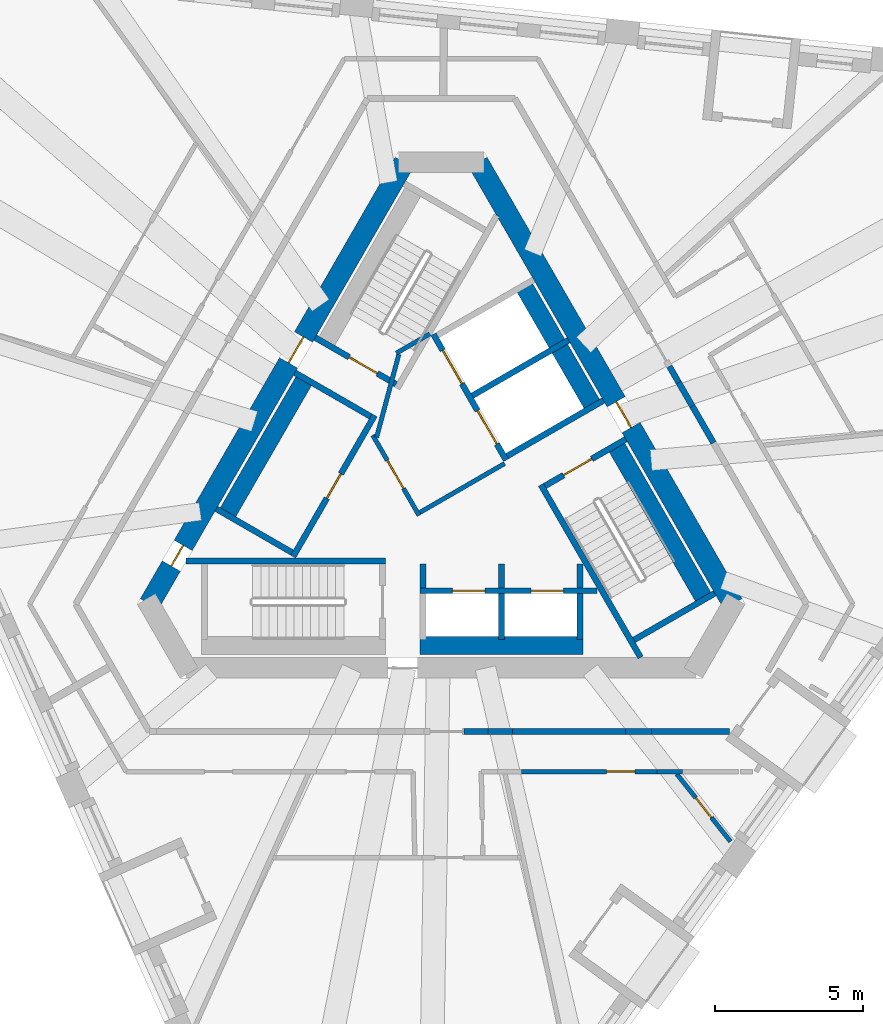
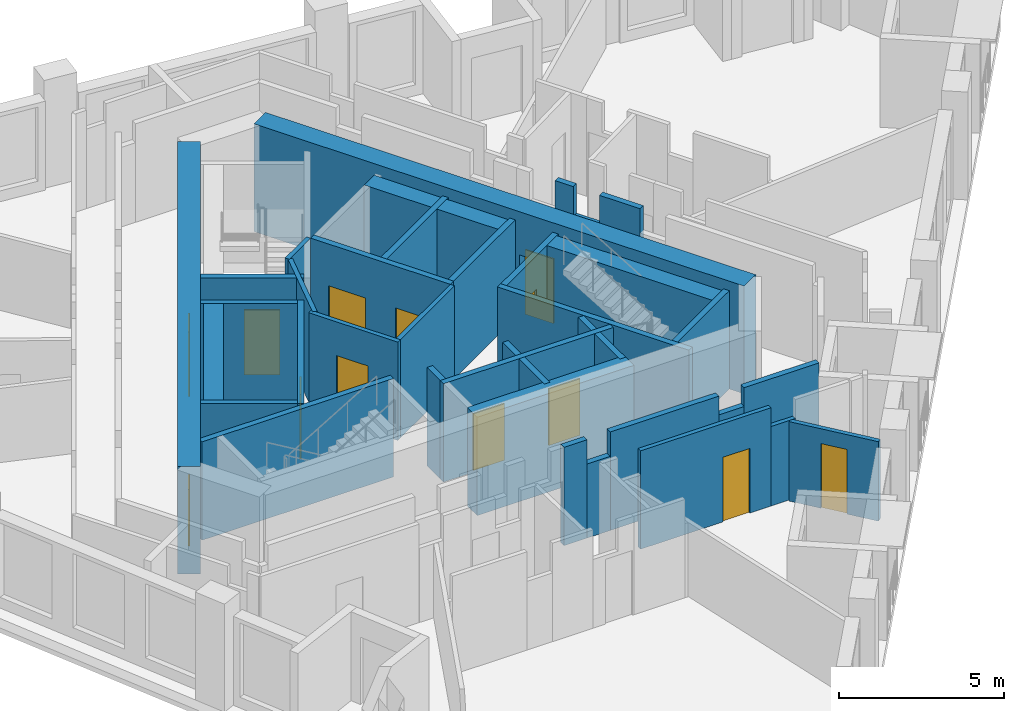
# One storey, part 4 of 11: 38 walls, 13 doors, 13 openings.
"""IFC4 building model written with IfcOpenShell, lengths in metres."""

import ifcopenshell
import ifcopenshell.guid

model = None  # the IFC model being written
_history = None  # IfcOwnerHistory: only IFC2X3 demands one
_inside = {}  # id of a spatial element -> (the spatial element, [elements in it])
_under = {}  # id of a project, library or spatial element -> (it, [spatial elements below it])
_declared = {}  # id of a project -> (the project, [libraries it declares])
_typed = {}  # id of a type object -> (the type object, [elements of that type])
_made_of = {}  # id of a material, layer set ... -> (it, [elements and type objects made of it])


def new_model(schema):
    """Start an empty IFC model of exactly this schema.

    Asked for "IFC4X3", IfcOpenShell would pick the latest addendum, in which some entities
    have other attributes; the version numbers below select the first issue.
    IFC2X3 requires an IfcOwnerHistory on every rooted entity: one is made here for all.
    """
    global model, _history
    if schema == "IFC4X3":
        model = ifcopenshell.file(schema_version=(4, 3, 0, 0))
    else:
        model = ifcopenshell.file(schema=schema)
    _inside.clear()
    _under.clear()
    _declared.clear()
    _typed.clear()
    _made_of.clear()
    _history = None
    if model.schema == "IFC2X3":
        org = make("IfcOrganization", Name="unknown")
        user = make(
            "IfcPersonAndOrganization",
            ThePerson=make("IfcPerson", FamilyName="unknown"),
            TheOrganization=org,
        )
        app = make(
            "IfcApplication",
            ApplicationDeveloper=org,
            Version="unknown",
            ApplicationFullName="unknown",
            ApplicationIdentifier="unknown",
        )
        _history = make(
            "IfcOwnerHistory",
            OwningUser=user,
            OwningApplication=app,
            ChangeAction="ADDED",
            CreationDate=0,
        )
    return model


def make(cls, **values):
    """One entity of the class cls with the attributes given. An attribute that is None is left unset."""
    return model.create_entity(
        cls, **{name: value for name, value in values.items() if value is not None}
    )


def rooted(cls, **values):
    """An entity with a GlobalId (a new one), such as an element, a storey or a relation."""
    return make(cls, GlobalId=ifcopenshell.guid.new(), OwnerHistory=_history, **values)


def si_unit(unit_type, name, prefix=None):
    """IfcSIUnit, for example si_unit("LENGTHUNIT", "METRE", prefix="MILLI")."""
    return make("IfcSIUnit", UnitType=unit_type, Prefix=prefix, Name=name)


def assignment(units):
    """IfcUnitAssignment: the units of a project."""
    return None if units is None else make("IfcUnitAssignment", Units=units)


def point(xyz):
    """IfcCartesianPoint."""
    return None if xyz is None else make("IfcCartesianPoint", Coordinates=xyz)


def direction(xyz):
    """IfcDirection."""
    return None if xyz is None else make("IfcDirection", DirectionRatios=xyz)


def frame(location, z_axis=None, x_axis=None):
    """IfcAxis2Placement3D, a coordinate frame: its origin and axes. An axis left out is left unset."""
    return make(
        "IfcAxis2Placement3D",
        Location=point(location),
        Axis=direction(z_axis),
        RefDirection=direction(x_axis),
    )


def frame_2d(location, x_axis=None):
    """IfcAxis2Placement2D, a coordinate frame in the plane: its origin and x axis."""
    return make(
        "IfcAxis2Placement2D", Location=point(location), RefDirection=direction(x_axis)
    )


def origin():
    """The frame at (0, 0, 0) with its axes left unset."""
    return frame((0.0, 0.0, 0.0))


def place(relative_to, where):
    """IfcLocalPlacement: puts the frame where relative to a parent placement (None: the world)."""
    return make(
        "IfcLocalPlacement", PlacementRelTo=relative_to, RelativePlacement=where
    )


def context(
    kind, dimensions, precision=None, world=None, true_north=None, identifier=None
):
    """IfcGeometricRepresentationContext, for example the 3D "Model" context."""
    return make(
        "IfcGeometricRepresentationContext",
        ContextIdentifier=identifier,
        ContextType=kind,
        CoordinateSpaceDimension=dimensions,
        Precision=precision,
        WorldCoordinateSystem=world,
        TrueNorth=true_north,
    )


def subcontext(parent, identifier, kind, view, scale=None):
    """IfcGeometricRepresentationSubContext, for example "Body" below "Model"."""
    return make(
        "IfcGeometricRepresentationSubContext",
        ContextIdentifier=identifier,
        ContextType=kind,
        ParentContext=parent,
        TargetScale=scale,
        TargetView=view,
    )


def project(units=None, contexts=None):
    """IfcProject with its units and contexts."""
    return rooted(
        "IfcProject",
        Name="project",
        RepresentationContexts=contexts,
        UnitsInContext=assignment(units),
    )


def spatial(cls, under=None, at=None, **own):
    """A site, building, storey or space (cls), placed at a placement, below another one or the project."""
    s = rooted(cls, ObjectPlacement=at, **own)
    if under is not None:
        _under.setdefault(under.id(), (under, []))[1].append(s)
    return s


def profile(cls, at=None, kind="AREA", **sizes):
    """A parametric profile (cls). Its sizes go by their IFC names, for example OverallWidth=200.0."""
    return make(cls, ProfileType=kind, Position=at, **sizes)


def rectangle(**sizes):
    """IfcRectangleProfileDef."""
    return profile("IfcRectangleProfileDef", **sizes)


def extrude(swept, where, along, depth):
    """IfcExtrudedAreaSolid: the profile swept, set in the frame where, extruded along a direction by depth."""
    return make(
        "IfcExtrudedAreaSolid",
        SweptArea=swept,
        Position=where,
        ExtrudedDirection=direction(along),
        Depth=depth,
    )


def shape(context_of_items, identifier, shape_type, items):
    """IfcShapeRepresentation: the items that make up one representation, for example the "Body"."""
    return make(
        "IfcShapeRepresentation",
        ContextOfItems=context_of_items,
        RepresentationIdentifier=identifier,
        RepresentationType=shape_type,
        Items=items,
    )


def material(Name=None, Category=None):
    """IfcMaterial."""
    return make("IfcMaterial", Name=Name, Category=Category)


def layer(
    of_material, thickness, ventilated=None, Name=None, Category=None, Priority=None
):
    """IfcMaterialLayer: one layer of a wall or slab, of a material (None: an air gap)."""
    return make(
        "IfcMaterialLayer",
        Material=of_material,
        LayerThickness=thickness,
        IsVentilated=ventilated,
        Name=Name,
        Category=Category,
        Priority=Priority,
    )


def layer_set(layers, Name=None):
    """IfcMaterialLayerSet."""
    return make("IfcMaterialLayerSet", MaterialLayers=layers, LayerSetName=Name)


def made_of(thing, what):
    """Note that an element or type object is made of a material, layer set ...; save() writes the relation."""
    if what is not None:
        _made_of.setdefault(what.id(), (what, []))[1].append(thing)
    return thing


def type_object(cls, material=None, **own):
    """A type object (cls), such as IfcWallType, which elements share."""
    return made_of(rooted(cls, **own), material)


def element(
    cls,
    number,
    at=None,
    inside=None,
    cuts=None,
    type_object=None,
    material=None,
    context=None,
    identifier="Body",
    shape_type=None,
    held_by="IfcProductDefinitionShape",
    body=None,
    shapes=None,
    **own,
):
    """One element of the class cls, such as IfcWall. Its Tag is "e" and its number.

    at: its placement. inside: the storey or other place that contains it. cuts: it is an
    opening in that element (IfcRelVoidsElement). A single representation is given by context,
    identifier, shape_type and body (its items); several are given by shapes. held_by: the class
    of the entity that holds the representations. save() writes the other relations.
    """
    e = rooted(cls, Tag="e%d" % number, ObjectPlacement=at, **own)
    if body is not None:
        shapes = [shape(context, identifier, shape_type, body)]
    if shapes is not None:
        e.Representation = make(held_by, Representations=shapes)
    if inside is not None:
        _inside.setdefault(inside.id(), (inside, []))[1].append(e)
    if cuts is not None:
        rooted(
            "IfcRelVoidsElement", RelatingBuildingElement=cuts, RelatedOpeningElement=e
        )
    if type_object is not None:
        _typed.setdefault(type_object.id(), (type_object, []))[1].append(e)
    return made_of(e, material)


def fill(opening, filler):
    """IfcRelFillsElement: the door or window that sits in an opening."""
    return rooted(
        "IfcRelFillsElement",
        RelatingOpeningElement=opening,
        RelatedBuildingElement=filler,
    )


def aggregate(whole, parts):
    """IfcRelAggregates: a whole, such as a stair, and the parts it consists of."""
    return rooted("IfcRelAggregates", RelatingObject=whole, RelatedObjects=parts)


def save(model, path):
    """Write the relations noted so far, then the file.

    IfcRelAggregates (storeys below a building ...), IfcRelContainedInSpatialStructure (elements
    in a storey), IfcRelDefinesByType, IfcRelAssociatesMaterial and IfcRelDeclares: one each for
    every whole, place, type object, material and project.
    """
    for whole, parts in _under.values():
        aggregate(whole, parts)
    for where, things in _inside.values():
        rooted(
            "IfcRelContainedInSpatialStructure",
            RelatedElements=things,
            RelatingStructure=where,
        )
    for kind, things in _typed.values():
        rooted("IfcRelDefinesByType", RelatedObjects=things, RelatingType=kind)
    for what, things in _made_of.values():
        rooted("IfcRelAssociatesMaterial", RelatedObjects=things, RelatingMaterial=what)
    for by, libraries in _declared.values():
        rooted("IfcRelDeclares", RelatingContext=by, RelatedDefinitions=libraries)
    model.write(path)


model = new_model("IFC4")

# Units and contexts
model_context = context("Model", 3, precision=1e-05, world=origin(), true_north=direction((0.0, 1.0)))
body_context = subcontext(model_context, "Body", "Model", "MODEL_VIEW")
ifc_project = project(units=[si_unit("LENGTHUNIT", "METRE"), si_unit("AREAUNIT", "SQUARE_METRE"), si_unit("VOLUMEUNIT", "CUBIC_METRE"), si_unit("PLANEANGLEUNIT", "RADIAN"), si_unit("MASSUNIT", "GRAM", prefix="KILO")], contexts=[model_context])

# Site, building, storey
site_placement = place(None, origin())
site = spatial("IfcSite", under=ifc_project, at=site_placement, CompositionType="ELEMENT")
building_placement = place(site_placement, origin())
building = spatial("IfcBuilding", under=site, at=building_placement, Name="Tramontana Tower", CompositionType="ELEMENT")
storey_placement = place(building_placement, frame((0.0, 0.0, 245.199951171875)))
storey = spatial("IfcBuildingStorey", under=building, at=storey_placement, Name="L57", CompositionType="ELEMENT", Elevation=245.199951171875)

# Wall, openings, doors
ifc_material_1 = material(Name="Concrete 70 MPa", Category="concrete")
ifc_layer_1 = layer(ifc_material_1, 0.699951171875)
ifc_layer_set_1 = layer_set([ifc_layer_1], Name="Core wall 700 70 MPa")
wall_type_1 = type_object("IfcWallType", Name="Core wall 700 70 MPa", PredefinedType="SHEAR", material=ifc_layer_set_1)
wall_1_placement = place(storey_placement, frame((-1.2412109375, 10.64990234375, 0.0), z_axis=(0.0, 0.0, 1.0), x_axis=(-0.500003331888, -0.866023480109, 0.0)))
wall_1 = element("IfcWall", 1, at=wall_1_placement, inside=storey, type_object=wall_type_1, Name="Core wall C1 L57", PredefinedType="SHEAR", context=body_context, shape_type="SweptSolid", body=[
    extrude(rectangle(XDim=17.205078125, YDim=0.699951171875, at=frame_2d((8.6025390625, 0.0))), origin(), (0.0, 0.0, 1.0), 4.0),
])
opening_1_placement = place(wall_1_placement, frame((6.8076171875, 0.0, 0.0)))
opening_1 = element("IfcOpeningElement", 2, at=opening_1_placement, cuts=wall_1, Name="Opening RG1", PredefinedType="OPENING", context=body_context, shape_type="SweptSolid", body=[
    extrude(rectangle(XDim=1.0, YDim=2.39990234375, at=frame_2d((0.5, 1.199951171875))), frame((0.0, 0.35986328125, 0.0), z_axis=(0.0, -1.0, 0.0), x_axis=(1.0, 0.0, 0.0)), (0.0, 0.0, 1.0), 0.719970703125),
])
opening_2_placement = place(wall_1_placement, frame((14.921630859375, 0.0, 0.0)))
opening_2 = element("IfcOpeningElement", 3, at=opening_2_placement, cuts=wall_1, Name="Opening PD1", PredefinedType="OPENING", context=body_context, shape_type="SweptSolid", body=[
    extrude(rectangle(XDim=0.800048828125, YDim=2.10009765625, at=frame_2d((0.39990234375, 1.050048828125))), frame((0.0, 0.35986328125, 0.0), z_axis=(0.0, -1.0, 0.0), x_axis=(1.0, 0.0, 0.0)), (0.0, 0.0, 1.0), 0.719970703125),
])
ifc_material_2 = material(Name="Painted steel", Category="steel")
door_type_1 = type_object("IfcDoorType", Name="CUPBOARD DOOR 800", OperationType="SINGLE_SWING_LEFT", PredefinedType="DOOR", material=ifc_material_2)
door_1_placement = place(opening_2_placement, origin())
door_1 = element("IfcDoor", 4, at=door_1_placement, inside=storey, type_object=door_type_1, Name="Door PD1", OperationType="SINGLE_SWING_RIGHT", OverallHeight=2.10009765625, OverallWidth=0.800048828125, PredefinedType="DOOR", context=body_context, shape_type="SweptSolid", body=[
    extrude(rectangle(XDim=0.800048828125, YDim=2.10009765625, at=frame_2d((0.39990234375, 1.050048828125))), frame((0.0, 0.02490234375, 0.0), z_axis=(0.0, -1.0, 0.0), x_axis=(1.0, 0.0, 0.0)), (0.0, 0.0, 1.0), 0.050048828125),
])
fill(opening_2, door_1)
ifc_material_3 = material(Name="Painted steel", Category="steel")
door_type_2 = type_object("IfcDoorType", Name="RING DOOR 1000", OperationType="SINGLE_SWING_LEFT", PredefinedType="DOOR", material=ifc_material_3)
door_2_placement = place(opening_1_placement, origin())
door_2 = element("IfcDoor", 5, at=door_2_placement, inside=storey, type_object=door_type_2, Name="Door RG1", OperationType="SINGLE_SWING_LEFT", OverallHeight=2.39990234375, OverallWidth=1.0, PredefinedType="DOOR", context=body_context, shape_type="SweptSolid", body=[
    extrude(rectangle(XDim=1.0, YDim=2.39990234375, at=frame_2d((0.5, 1.199951171875))), frame((0.0, 0.02490234375, 0.0), z_axis=(0.0, -1.0, 0.0), x_axis=(1.0, 0.0, 0.0)), (0.0, 0.0, 1.0), 0.050048828125),
])
fill(opening_1, door_2)

# Wall, opening, door
wall_2_placement = place(storey_placement, frame((9.84375, -4.25, 0.0), z_axis=(0.0, 0.0, 1.0), x_axis=(-0.500003331888, 0.866023480109, 0.0)))
wall_2 = element("IfcWall", 6, at=wall_2_placement, inside=storey, type_object=wall_type_1, Name="Core wall C5 L57", PredefinedType="SHEAR", context=body_context, shape_type="SweptSolid", body=[
    extrude(rectangle(XDim=17.205078125, YDim=0.699951171875, at=frame_2d((8.6025390625, 0.0))), origin(), (0.0, 0.0, 1.0), 4.0),
])
opening_3_placement = place(wall_2_placement, frame((6.87744140625, 0.0, 0.0)))
opening_3 = element("IfcOpeningElement", 7, at=opening_3_placement, cuts=wall_2, Name="Opening RG3", PredefinedType="OPENING", context=body_context, shape_type="SweptSolid", body=[
    extrude(rectangle(XDim=1.0, YDim=2.39990234375, at=frame_2d((0.5, 1.199951171875))), frame((0.0, 0.35986328125, 0.0), z_axis=(0.0, -1.0, 0.0), x_axis=(1.0, 0.0, 0.0)), (0.0, 0.0, 1.0), 0.719970703125),
])
door_3_placement = place(opening_3_placement, origin())
door_3 = element("IfcDoor", 8, at=door_3_placement, inside=storey, type_object=door_type_2, Name="Door RG3", OperationType="SINGLE_SWING_LEFT", OverallHeight=2.39990234375, OverallWidth=1.0, PredefinedType="DOOR", context=body_context, shape_type="SweptSolid", body=[
    extrude(rectangle(XDim=1.0, YDim=2.39990234375, at=frame_2d((0.5, 1.199951171875))), frame((0.0, 0.02490234375, 0.0), z_axis=(0.0, -1.0, 0.0), x_axis=(1.0, 0.0, 0.0)), (0.0, 0.0, 1.0), 0.050048828125),
])
fill(opening_3, door_3)

# Walls
ifc_material_4 = material(Name="Blockwork", Category="masonry")
ifc_layer_2 = layer(ifc_material_4, 0.199951171875)
ifc_layer_set_2 = layer_set([ifc_layer_2], Name="ENTRY WALL 200")
wall_type_2 = type_object("IfcWallType", Name="ENTRY WALL 200", PredefinedType="SOLIDWALL", material=ifc_layer_set_2)
wall_3_placement = place(storey_placement, frame((9.724609375, -8.550048828125, 0.0), z_axis=(0.0, 0.0, 1.0), x_axis=(-1.0, 0.0, 0.0)))
element("IfcWall", 9, at=wall_3_placement, inside=storey, type_object=wall_type_2, Name="Wall v60-ew1-0", PredefinedType="SOLIDWALL", context=body_context, shape_type="SweptSolid", body=[
    extrude(rectangle(XDim=2.62548828125, YDim=0.199951171875, at=frame_2d((1.312744140625, 0.0))), origin(), (0.0, 0.0, 1.0), 3.650146484375),
])
wall_4_placement = place(storey_placement, frame((7.09912109375, -8.550048828125, 0.0), z_axis=(0.0, 0.0, 1.0), x_axis=(-1.0, 0.0, 0.0)))
element("IfcWall", 10, at=wall_4_placement, inside=storey, type_object=wall_type_2, Name="Wall v60-ew1-1", PredefinedType="SOLIDWALL", context=body_context, shape_type="SweptSolid", body=[
    extrude(rectangle(XDim=0.88720703125, YDim=0.199951171875, at=frame_2d((0.443603515625, 0.0))), origin(), (0.0, 0.0, 1.0), 2.949951171875),
])
wall_5_placement = place(storey_placement, frame((6.2119140625, -8.550048828125, 0.0), z_axis=(0.0, 0.0, 1.0), x_axis=(-1.0, 0.0, 0.0)))
element("IfcWall", 11, at=wall_5_placement, inside=storey, type_object=wall_type_2, Name="Wall v60-ew1-2", PredefinedType="SOLIDWALL", context=body_context, shape_type="SweptSolid", body=[
    extrude(rectangle(XDim=3.810546875, YDim=0.199951171875, at=frame_2d((1.9052734375, 0.0))), origin(), (0.0, 0.0, 1.0), 3.650146484375),
])
wall_6_placement = place(storey_placement, frame((2.4013671875, -8.550048828125, 0.0), z_axis=(0.0, 0.0, 1.0), x_axis=(-1.0, 0.0, 0.0)))
element("IfcWall", 12, at=wall_6_placement, inside=storey, type_object=wall_type_2, Name="Wall v60-ew1-3", PredefinedType="SOLIDWALL", context=body_context, shape_type="SweptSolid", body=[
    extrude(rectangle(XDim=0.8212890625, YDim=0.199951171875, at=frame_2d((0.41064453125, 0.0))), origin(), (0.0, 0.0, 1.0), 2.75),
])
wall_7_placement = place(storey_placement, frame((1.580078125, -8.550048828125, 0.0), z_axis=(0.0, 0.0, 1.0), x_axis=(-1.0, 0.0, 0.0)))
element("IfcWall", 13, at=wall_7_placement, inside=storey, type_object=wall_type_2, Name="Wall v60-ew1-4", PredefinedType="SOLIDWALL", context=body_context, shape_type="SweptSolid", body=[
    extrude(rectangle(XDim=0.805908203125, YDim=0.199951171875, at=frame_2d((0.40283203125, 0.0))), origin(), (0.0, 0.0, 1.0), 3.650146484375),
])
wall_8_placement = place(storey_placement, frame((7.697021484375, 3.76806640625, 0.0), z_axis=(0.0, 0.0, 1.0), x_axis=(0.50012328804, -0.865954211699, 0.0)))
element("IfcWall", 14, at=wall_8_placement, inside=storey, type_object=wall_type_2, Name="Wall v60-ew5-6", PredefinedType="SOLIDWALL", context=body_context, shape_type="SweptSolid", body=[
    extrude(rectangle(XDim=0.632568359375, YDim=0.199951171875, at=frame_2d((0.31640625, 0.0))), origin(), (0.0, 0.0, 1.0), 3.650146484375),
])
wall_9_placement = place(storey_placement, frame((8.013427734375, 3.22021484375, 0.0), z_axis=(0.0, 0.0, 1.0), x_axis=(0.500175591747, -0.865924002104, 0.0)))
element("IfcWall", 15, at=wall_9_placement, inside=storey, type_object=wall_type_2, Name="Wall v60-ew5-7", PredefinedType="SOLIDWALL", context=body_context, shape_type="SweptSolid", body=[
    extrude(rectangle(XDim=0.917236328125, YDim=0.199951171875, at=frame_2d((0.45849609375, 0.0))), origin(), (0.0, 0.0, 1.0), 2.550048828125),
])
wall_10_placement = place(storey_placement, frame((8.47216796875, 2.426025390625, 0.0), z_axis=(0.0, 0.0, 1.0), x_axis=(0.499904796234, -0.866080362727, 0.0)))
element("IfcWall", 16, at=wall_10_placement, inside=storey, type_object=wall_type_2, Name="Wall v60-ew5-8", PredefinedType="SOLIDWALL", context=body_context, shape_type="SweptSolid", body=[
    extrude(rectangle(XDim=1.429443359375, YDim=0.199951171875, at=frame_2d((0.71484375, 0.0))), origin(), (0.0, 0.0, 1.0), 3.650146484375),
])

# Wall, opening, door
ifc_material_5 = material(Name="Gypsum board partition")
ifc_layer_3 = layer(ifc_material_5, 0.14990234375)
ifc_layer_set_3 = layer_set([ifc_layer_3], Name="PARTITION 150")
wall_type_3 = type_object("IfcWallType", Name="PARTITION 150", PredefinedType="PARTITIONING", material=ifc_layer_set_3)
wall_11_placement = place(storey_placement, frame((-0.744140625, -1.260986328125, 0.0), z_axis=(0.0, 0.0, 1.0), x_axis=(-0.500004234368, 0.866022959057, 0.0)))
wall_11 = element("IfcWall", 17, at=wall_11_placement, inside=storey, type_object=wall_type_3, Name="Wall ff-front", PredefinedType="PARTITIONING", context=body_context, shape_type="SweptSolid", body=[
    extrude(rectangle(XDim=3.125, YDim=0.14990234375, at=frame_2d((1.5625, 0.0))), origin(), (0.0, 0.0, 1.0), 3.650146484375),
])
opening_4_placement = place(wall_11_placement, frame((1.050048828125, 0.0, 0.0)))
opening_4 = element("IfcOpeningElement", 18, at=opening_4_placement, cuts=wall_11, Name="Opening FD1", PredefinedType="OPENING", context=body_context, shape_type="SweptSolid", body=[
    extrude(rectangle(XDim=1.10009765625, YDim=2.39990234375, at=frame_2d((0.550048828125, 1.199951171875))), frame((0.0, 0.0849609375, 0.0), z_axis=(0.0, -1.0, 0.0), x_axis=(1.0, 0.0, 0.0)), (0.0, 0.0, 1.0), 0.169921875),
])
ifc_material_6 = material(Name="Painted timber", Category="wood")
door_type_3 = type_object("IfcDoorType", Name="DOOR ENTRY 1100", OperationType="SINGLE_SWING_LEFT", PredefinedType="DOOR", material=ifc_material_6)
door_4_placement = place(opening_4_placement, origin())
door_4 = element("IfcDoor", 19, at=door_4_placement, inside=storey, type_object=door_type_3, Name="Door FD1", OperationType="SINGLE_SWING_RIGHT", OverallHeight=2.39990234375, OverallWidth=1.10009765625, PredefinedType="DOOR", context=body_context, shape_type="SweptSolid", body=[
    extrude(rectangle(XDim=1.10009765625, YDim=2.39990234375, at=frame_2d((0.550048828125, 1.199951171875))), frame((0.0, 0.02490234375, 0.0), z_axis=(0.0, -1.0, 0.0), x_axis=(1.0, 0.0, 0.0)), (0.0, 0.0, 1.0), 0.050048828125),
])
fill(opening_4, door_4)

# Walls
wall_12_placement = place(storey_placement, frame((-0.716796875, -1.15869140625, 0.0), z_axis=(0.0, 0.0, 1.0), x_axis=(0.866008176907, 0.50002983664, 0.0)))
element("IfcWall", 20, at=wall_12_placement, inside=storey, type_object=wall_type_3, Name="Wall ff-end0", PredefinedType="PARTITIONING", context=body_context, shape_type="SweptSolid", body=[
    extrude(rectangle(XDim=3.300048828125, YDim=0.14990234375, at=frame_2d((1.64990234375, 0.0))), origin(), (0.0, 0.0, 1.0), 3.650146484375),
])
wall_13_placement = place(storey_placement, frame((-2.177978515625, 1.372314453125, 0.0), z_axis=(0.0, 0.0, 1.0), x_axis=(0.258808958833, 0.96592852884, 0.0)))
element("IfcWall", 21, at=wall_13_placement, inside=storey, type_object=wall_type_3, Name="Wall ff-diag", PredefinedType="PARTITIONING", context=body_context, shape_type="SweptSolid", body=[
    extrude(rectangle(XDim=2.902587890625, YDim=0.14990234375, at=frame_2d((1.451171875, 0.0))), origin(), (0.0, 0.0, 1.0), 3.650146484375),
])
wall_14_placement = place(storey_placement, frame((-1.509765625, 4.21484375, 0.0), z_axis=(0.0, 0.0, 1.0), x_axis=(0.866085525409, 0.49989585183, 0.0)))
element("IfcWall", 22, at=wall_14_placement, inside=storey, type_object=wall_type_3, Name="Wall ff-end1", PredefinedType="PARTITIONING", context=body_context, shape_type="SweptSolid", body=[
    extrude(rectangle(XDim=1.300048828125, YDim=0.14990234375, at=frame_2d((0.64990234375, 0.0))), origin(), (0.0, 0.0, 1.0), 3.650146484375),
])

# Wall, opening, door
wall_15_placement = place(storey_placement, frame((7.942626953125, -9.97509765625, 0.0), z_axis=(0.0, 0.0, 1.0), x_axis=(0.622917295976, -0.782287697956, 0.0)))
wall_15 = element("IfcWall", 23, at=wall_15_placement, inside=storey, type_object=wall_type_3, Name="Wall v60-pw20-0", PredefinedType="PARTITIONING", context=body_context, shape_type="SweptSolid", body=[
    extrude(rectangle(XDim=2.916748046875, YDim=0.14990234375, at=frame_2d((1.45849609375, 0.0))), origin(), (0.0, 0.0, 1.0), 2.949951171875),
])
opening_5_placement = place(wall_15_placement, frame((1.033447265625, 0.0, 0.0)))
opening_5 = element("IfcOpeningElement", 24, at=opening_5_placement, cuts=wall_15, Name="Opening B6A-09", PredefinedType="OPENING", context=body_context, shape_type="SweptSolid", body=[
    extrude(rectangle(XDim=0.85009765625, YDim=2.39990234375, at=frame_2d((0.425048828125, 1.199951171875))), frame((0.0, 0.0849609375, 0.0), z_axis=(0.0, -1.0, 0.0), x_axis=(1.0, 0.0, 0.0)), (0.0, 0.0, 1.0), 0.169921875),
])
ifc_material_7 = material(Name="Painted timber", Category="wood")
door_type_4 = type_object("IfcDoorType", Name="DOOR BATH 850", OperationType="SINGLE_SWING_LEFT", PredefinedType="DOOR", material=ifc_material_7)
door_5_placement = place(opening_5_placement, origin())
door_5 = element("IfcDoor", 25, at=door_5_placement, inside=storey, type_object=door_type_4, Name="Door B6A-09", OperationType="SINGLE_SWING_LEFT", OverallHeight=2.39990234375, OverallWidth=0.85009765625, PredefinedType="DOOR", context=body_context, shape_type="SweptSolid", body=[
    extrude(rectangle(XDim=0.85009765625, YDim=2.39990234375, at=frame_2d((0.425048828125, 1.199951171875))), frame((0.0, 0.02490234375, 0.0), z_axis=(0.0, -1.0, 0.0), x_axis=(1.0, 0.0, 0.0)), (0.0, 0.0, 1.0), 0.050048828125),
])
fill(opening_5, door_5)

# Wall
wall_16_placement = place(storey_placement, frame((8.134033203125, -9.89990234375, 0.0), z_axis=(0.0, 0.0, 1.0), x_axis=(-1.0, 0.0, 0.0)))
element("IfcWall", 26, at=wall_16_placement, inside=storey, type_object=wall_type_3, Name="Wall v60-pw21-1", PredefinedType="PARTITIONING", context=body_context, shape_type="SweptSolid", body=[
    extrude(rectangle(XDim=0.85546875, YDim=0.14990234375, at=frame_2d((0.427734375, 0.0))), origin(), (0.0, 0.0, 1.0), 2.949951171875),
])

# Wall, opening, door
wall_17_placement = place(storey_placement, frame((7.278564453125, -9.89990234375, 0.0), z_axis=(0.0, 0.0, 1.0), x_axis=(-1.0, 0.0, 0.0)))
wall_17 = element("IfcWall", 27, at=wall_17_placement, inside=storey, type_object=wall_type_3, Name="Wall v60-pw21-2", PredefinedType="PARTITIONING", context=body_context, shape_type="SweptSolid", body=[
    extrude(rectangle(XDim=4.57568359375, YDim=0.14990234375, at=frame_2d((2.287841796875, 0.0))), origin(), (0.0, 0.0, 1.0), 3.650146484375),
])
opening_6_placement = place(wall_17_placement, frame((0.745361328125, 0.0, 0.0)))
opening_6 = element("IfcOpeningElement", 28, at=opening_6_placement, cuts=wall_17, Name="Opening B6A-08", PredefinedType="OPENING", context=body_context, shape_type="SweptSolid", body=[
    extrude(rectangle(XDim=0.949951171875, YDim=2.39990234375, at=frame_2d((0.47509765625, 1.199951171875))), frame((0.0, 0.0849609375, 0.0), z_axis=(0.0, -1.0, 0.0), x_axis=(1.0, 0.0, 0.0)), (0.0, 0.0, 1.0), 0.169921875),
])
ifc_material_8 = material(Name="Painted timber", Category="wood")
door_type_5 = type_object("IfcDoorType", Name="DOOR ROOM 950", OperationType="SINGLE_SWING_LEFT", PredefinedType="DOOR", material=ifc_material_8)
door_6_placement = place(opening_6_placement, origin())
door_6 = element("IfcDoor", 29, at=door_6_placement, inside=storey, type_object=door_type_5, Name="Door B6A-08", OperationType="SINGLE_SWING_RIGHT", OverallHeight=2.39990234375, OverallWidth=0.949951171875, PredefinedType="DOOR", context=body_context, shape_type="SweptSolid", body=[
    extrude(rectangle(XDim=0.949951171875, YDim=2.39990234375, at=frame_2d((0.47509765625, 1.199951171875))), frame((0.0, 0.02490234375, 0.0), z_axis=(0.0, -1.0, 0.0), x_axis=(1.0, 0.0, 0.0)), (0.0, 0.0, 1.0), 0.050048828125),
])
fill(opening_6, door_6)

# Walls
ifc_material_9 = material(Name="Concrete 70 MPa", Category="concrete")
ifc_layer_4 = layer(ifc_material_9, 0.60009765625)
ifc_layer_set_4 = layer_set([ifc_layer_4], Name="Concrete 70 MPa, 600 mm")
wall_type_4 = type_object("IfcWallType", Name="RC SHAFT BACK WALL 600", PredefinedType="SOLIDWALL", material=ifc_layer_set_4)
wall_18_placement = place(storey_placement, frame((8.93310546875, -4.17236328125, 0.0), z_axis=(0.0, 0.0, 1.0), x_axis=(-0.500026960575, 0.86600983753, 0.0)))
element("IfcWall", 30, at=wall_18_placement, inside=storey, type_object=wall_type_4, Name="Wall st3-back", PredefinedType="SOLIDWALL", context=body_context, shape_type="SweptSolid", body=[
    extrude(rectangle(XDim=6.199951171875, YDim=0.60009765625, at=frame_2d((3.10009765625, 0.0))), origin(), (0.0, 0.0, 1.0), 3.650146484375),
])
for number, where, z_axis, x_axis, name in (
    (31, (-4.5380859375, 3.43994140625, 0.0), (0.0, 0.0, 1.0), (-0.499996545922, -0.866027397988, 0.0), "Wall row0-back"),
    (32, (-0.7099609375, -5.64990234375, 0.0), (0.0, 0.0, 1.0), (1.0, 0.0, 0.0), "Wall row1-back"),
):
    element("IfcWall", number, at=place(storey_placement, frame(where, z_axis=z_axis, x_axis=x_axis)), inside=storey, type_object=wall_type_4, Name=name, PredefinedType="SOLIDWALL", context=body_context, shape_type="SweptSolid", body=[
        extrude(rectangle(XDim=5.5, YDim=0.60009765625, at=frame_2d((2.75, 0.0))), origin(), (0.0, 0.0, 1.0), 3.650146484375),
    ])
wall_19_placement = place(storey_placement, frame((5.177978515625, 2.331298828125, 0.0), z_axis=(0.0, 0.0, 1.0), x_axis=(-0.49998122708, 0.866036242063, 0.0)))
element("IfcWall", 33, at=wall_19_placement, inside=storey, type_object=wall_type_4, Name="Wall row2-back", PredefinedType="SOLIDWALL", context=body_context, shape_type="SweptSolid", body=[
    extrude(rectangle(XDim=4.900146484375, YDim=0.60009765625, at=frame_2d((2.4501953125, 0.0))), origin(), (0.0, 0.0, 1.0), 3.650146484375),
])

# Wall, opening, door
ifc_material_10 = material(Name="Concrete 70 MPa", Category="concrete")
ifc_layer_5 = layer(ifc_material_10, 0.199951171875)
ifc_layer_set_5 = layer_set([ifc_layer_5], Name="Concrete 70 MPa, 200 mm")
wall_type_5 = type_object("IfcWallType", Name="RC STAIR AND SHAFT WALL 200", PredefinedType="SOLIDWALL", material=ifc_layer_set_5)
wall_20_placement = place(storey_placement, frame((-1.521484375, 3.164794921875, 0.0), z_axis=(0.0, 0.0, 1.0), x_axis=(-0.866035871367, 0.499981869177, 0.0)))
wall_20 = element("IfcWall", 34, at=wall_20_placement, inside=storey, type_object=wall_type_5, Name="Wall st1-near", PredefinedType="SOLIDWALL", context=body_context, shape_type="SweptSolid", body=[
    extrude(rectangle(XDim=3.14990234375, YDim=0.199951171875, at=frame_2d((1.574951171875, 0.0))), origin(), (0.0, 0.0, 1.0), 3.650146484375),
])
opening_7_placement = place(wall_20_placement, frame((0.72509765625, 0.0, 0.0)))
opening_7 = element("IfcOpeningElement", 35, at=opening_7_placement, cuts=wall_20, Name="Opening SD1", PredefinedType="OPENING", context=body_context, shape_type="SweptSolid", body=[
    extrude(rectangle(XDim=1.10009765625, YDim=2.39990234375, at=frame_2d((0.550048828125, 1.199951171875))), frame((0.0, 0.10986328125, 0.0), z_axis=(0.0, -1.0, 0.0), x_axis=(1.0, 0.0, 0.0)), (0.0, 0.0, 1.0), 0.219970703125),
])
ifc_material_11 = material(Name="Painted steel", Category="steel")
door_type_6 = type_object("IfcDoorType", Name="STAIR DOOR 1100", OperationType="SINGLE_SWING_LEFT", PredefinedType="DOOR", material=ifc_material_11)
door_7_placement = place(opening_7_placement, origin())
door_7 = element("IfcDoor", 36, at=door_7_placement, inside=storey, type_object=door_type_6, Name="Door SD1", OperationType="SINGLE_SWING_RIGHT", OverallHeight=2.39990234375, OverallWidth=1.10009765625, PredefinedType="DOOR", context=body_context, shape_type="SweptSolid", body=[
    extrude(rectangle(XDim=1.10009765625, YDim=2.39990234375, at=frame_2d((0.550048828125, 1.199951171875))), frame((0.0, 0.02490234375, 0.0), z_axis=(0.0, -1.0, 0.0), x_axis=(1.0, 0.0, 0.0)), (0.0, 0.0, 1.0), 0.050048828125),
])
fill(opening_7, door_7)

# Walls
for number, where, z_axis, x_axis, name in (
    (37, (-8.6025390625, -2.800048828125, 0.0), (0.0, 0.0, 1.0), (1.0, 0.0, 0.0), "Wall st2-front"),
    (38, (6.72607421875, -6.050048828125, 0.0), (0.0, 0.0, 1.0), (-0.499970804718, 0.866042259032, 0.0), "Wall st3-front"),
):
    element("IfcWall", number, at=place(storey_placement, frame(where, z_axis=z_axis, x_axis=x_axis)), inside=storey, type_object=wall_type_5, Name=name, PredefinedType="SOLIDWALL", context=body_context, shape_type="SweptSolid", body=[
        extrude(rectangle(XDim=6.72265625, YDim=0.199951171875, at=frame_2d((3.361328125, 0.0))), origin(), (0.0, 0.0, 1.0), 3.650146484375),
    ])
wall_21_placement = place(storey_placement, frame((6.50146484375, -5.4609375, 0.0), z_axis=(0.0, 0.0, 1.0), x_axis=(0.866035871367, 0.499981869177, 0.0)))
element("IfcWall", 39, at=wall_21_placement, inside=storey, type_object=wall_type_5, Name="Wall st3-far", PredefinedType="SOLIDWALL", context=body_context, shape_type="SweptSolid", body=[
    extrude(rectangle(XDim=3.14990234375, YDim=0.199951171875, at=frame_2d((1.574951171875, 0.0))), origin(), (0.0, 0.0, 1.0), 3.650146484375),
])

# Wall, opening, door
wall_22_placement = place(storey_placement, frame((3.50146484375, -0.2646484375, 0.0), z_axis=(0.0, 0.0, 1.0), x_axis=(0.866035871367, 0.499981869177, 0.0)))
wall_22 = element("IfcWall", 40, at=wall_22_placement, inside=storey, type_object=wall_type_5, Name="Wall st3-near", PredefinedType="SOLIDWALL", context=body_context, shape_type="SweptSolid", body=[
    extrude(rectangle(XDim=3.14990234375, YDim=0.199951171875, at=frame_2d((1.574951171875, 0.0))), origin(), (0.0, 0.0, 1.0), 3.650146484375),
])
opening_8_placement = place(wall_22_placement, frame((0.72509765625, 0.0, 0.0)))
opening_8 = element("IfcOpeningElement", 41, at=opening_8_placement, cuts=wall_22, Name="Opening SD3", PredefinedType="OPENING", context=body_context, shape_type="SweptSolid", body=[
    extrude(rectangle(XDim=1.10009765625, YDim=2.39990234375, at=frame_2d((0.550048828125, 1.199951171875))), frame((0.0, 0.10986328125, 0.0), z_axis=(0.0, -1.0, 0.0), x_axis=(1.0, 0.0, 0.0)), (0.0, 0.0, 1.0), 0.219970703125),
])
door_8_placement = place(opening_8_placement, origin())
door_8 = element("IfcDoor", 42, at=door_8_placement, inside=storey, type_object=door_type_6, Name="Door SD3", OperationType="SINGLE_SWING_RIGHT", OverallHeight=2.39990234375, OverallWidth=1.10009765625, PredefinedType="DOOR", context=body_context, shape_type="SweptSolid", body=[
    extrude(rectangle(XDim=1.10009765625, YDim=2.39990234375, at=frame_2d((0.550048828125, 1.199951171875))), frame((0.0, 0.02490234375, 0.0), z_axis=(0.0, -1.0, 0.0), x_axis=(1.0, 0.0, 0.0)), (0.0, 0.0, 1.0), 0.050048828125),
])
fill(opening_8, door_8)

wall_23_placement = place(storey_placement, frame((-4.9931640625, -2.648193359375, 0.0), z_axis=(0.0, 0.0, 1.0), x_axis=(0.499996545922, 0.866027397988, 0.0)))
wall_23 = element("IfcWall", 43, at=wall_23_placement, inside=storey, type_object=wall_type_5, Name="Wall row0-front", PredefinedType="SOLIDWALL", context=body_context, shape_type="SweptSolid", body=[
    extrude(rectangle(XDim=5.5, YDim=0.199951171875, at=frame_2d((2.75, 0.0))), origin(), (0.0, 0.0, 1.0), 3.650146484375),
])
opening_9_placement = place(wall_23_placement, frame((2.27490234375, 0.0, 0.0)))
opening_9 = element("IfcOpeningElement", 44, at=opening_9_placement, cuts=wall_23, Name="Opening RD-0", PredefinedType="OPENING", context=body_context, shape_type="SweptSolid", body=[
    extrude(rectangle(XDim=0.949951171875, YDim=2.39990234375, at=frame_2d((0.47509765625, 1.199951171875))), frame((0.0, 0.10986328125, 0.0), z_axis=(0.0, -1.0, 0.0), x_axis=(1.0, 0.0, 0.0)), (0.0, 0.0, 1.0), 0.219970703125),
])
door_9_placement = place(opening_9_placement, origin())
door_9 = element("IfcDoor", 45, at=door_9_placement, inside=storey, type_object=door_type_5, Name="Door RD-0", OperationType="SINGLE_SWING_LEFT", OverallHeight=2.39990234375, OverallWidth=0.949951171875, PredefinedType="DOOR", context=body_context, shape_type="SweptSolid", body=[
    extrude(rectangle(XDim=0.949951171875, YDim=2.39990234375, at=frame_2d((0.47509765625, 1.199951171875))), frame((0.0, 0.02490234375, 0.0), z_axis=(0.0, -1.0, 0.0), x_axis=(1.0, 0.0, 0.0)), (0.0, 0.0, 1.0), 0.050048828125),
])
fill(opening_9, door_9)

# Walls
for number, where, z_axis, x_axis, name in (
    (46, (-2.379638671875, 2.078369140625, 0.0), (0.0, 0.0, 1.0), (-0.866060182126, 0.499939757307, 0.0), "Wall row0-side0"),
    (47, (-5.02978515625, -2.51171875, 0.0), (0.0, 0.0, 1.0), (-0.866003658127, 0.500037662692, 0.0), "Wall row0-side2"),
):
    element("IfcWall", number, at=place(storey_placement, frame(where, z_axis=z_axis, x_axis=x_axis)), inside=storey, type_object=wall_type_5, Name=name, PredefinedType="SOLIDWALL", context=body_context, shape_type="SweptSolid", body=[
        extrude(rectangle(XDim=2.949951171875, YDim=0.199951171875, at=frame_2d((1.47509765625, 0.0))), origin(), (0.0, 0.0, 1.0), 3.650146484375),
    ])

# Wall, openings, doors
wall_24_placement = place(storey_placement, frame((-0.7099609375, -3.800048828125, 0.0), z_axis=(0.0, 0.0, 1.0), x_axis=(1.0, 0.0, 0.0)))
wall_24 = element("IfcWall", 48, at=wall_24_placement, inside=storey, type_object=wall_type_5, Name="Wall row1-front", PredefinedType="SOLIDWALL", context=body_context, shape_type="SweptSolid", body=[
    extrude(rectangle(XDim=5.96142578125, YDim=0.199951171875, at=frame_2d((2.980712890625, 0.0))), origin(), (0.0, 0.0, 1.0), 3.650146484375),
])
opening_10_placement = place(wall_24_placement, frame((1.090087890625, 0.0, 0.0)))
opening_10 = element("IfcOpeningElement", 49, at=opening_10_placement, cuts=wall_24, Name="Opening LD-S1", PredefinedType="OPENING", context=body_context, shape_type="SweptSolid", body=[
    extrude(rectangle(XDim=1.10009765625, YDim=2.10009765625, at=frame_2d((0.550048828125, 1.050048828125))), frame((0.0, 0.10986328125, 0.0), z_axis=(0.0, -1.0, 0.0), x_axis=(1.0, 0.0, 0.0)), (0.0, 0.0, 1.0), 0.219970703125),
])
opening_11_placement = place(wall_24_placement, frame((3.739990234375, 0.0, 0.0)))
opening_11 = element("IfcOpeningElement", 50, at=opening_11_placement, cuts=wall_24, Name="Opening LD-S2", PredefinedType="OPENING", context=body_context, shape_type="SweptSolid", body=[
    extrude(rectangle(XDim=1.10009765625, YDim=2.10009765625, at=frame_2d((0.550048828125, 1.050048828125))), frame((0.0, 0.10986328125, 0.0), z_axis=(0.0, -1.0, 0.0), x_axis=(1.0, 0.0, 0.0)), (0.0, 0.0, 1.0), 0.219970703125),
])
ifc_material_12 = material(Name="Brushed steel", Category="steel")
door_type_7 = type_object("IfcDoorType", Name="LANDING DOOR 1100", OperationType="SINGLE_SWING_LEFT", PredefinedType="DOOR", material=ifc_material_12)
door_10_placement = place(opening_10_placement, origin())
door_10 = element("IfcDoor", 51, at=door_10_placement, inside=storey, type_object=door_type_7, Name="Door LD-S1", OperationType="SLIDING_TO_RIGHT", OverallHeight=2.10009765625, OverallWidth=1.10009765625, PredefinedType="DOOR", context=body_context, shape_type="SweptSolid", body=[
    extrude(rectangle(XDim=1.10009765625, YDim=2.10009765625, at=frame_2d((0.550048828125, 1.050048828125))), frame((0.0, 0.02490234375, 0.0), z_axis=(0.0, -1.0, 0.0), x_axis=(1.0, 0.0, 0.0)), (0.0, 0.0, 1.0), 0.050048828125),
])
fill(opening_10, door_10)
door_11_placement = place(opening_11_placement, origin())
door_11 = element("IfcDoor", 52, at=door_11_placement, inside=storey, type_object=door_type_7, Name="Door LD-S2", OperationType="SLIDING_TO_LEFT", OverallHeight=2.10009765625, OverallWidth=1.10009765625, PredefinedType="DOOR", context=body_context, shape_type="SweptSolid", body=[
    extrude(rectangle(XDim=1.10009765625, YDim=2.10009765625, at=frame_2d((0.550048828125, 1.050048828125))), frame((0.0, 0.02490234375, 0.0), z_axis=(0.0, -1.0, 0.0), x_axis=(1.0, 0.0, 0.0)), (0.0, 0.0, 1.0), 0.050048828125),
])
fill(opening_11, door_11)

# Walls
wall_25_placement = place(storey_placement, frame((-0.610107421875, -2.89990234375, 0.0), z_axis=(0.0, 0.0, 1.0), x_axis=(0.0, -1.0, 0.0)))
element("IfcWall", 53, at=wall_25_placement, inside=storey, type_object=wall_type_5, Name="Wall row1-side0-ret", PredefinedType="SOLIDWALL", context=body_context, shape_type="SweptSolid", body=[
    extrude(rectangle(XDim=0.800048828125, YDim=0.199951171875, at=frame_2d((0.39990234375, 0.0))), origin(), (0.0, 0.0, 1.0), 3.650146484375),
])
wall_26_placement = place(storey_placement, frame((2.0400390625, -3.89990234375, 0.0), z_axis=(0.0, 0.0, 1.0), x_axis=(0.0, -1.0, 0.0)))
element("IfcWall", 54, at=wall_26_placement, inside=storey, type_object=wall_type_5, Name="Wall row1-side1", PredefinedType="SOLIDWALL", context=body_context, shape_type="SweptSolid", body=[
    extrude(rectangle(XDim=1.550048828125, YDim=0.199951171875, at=frame_2d((0.77490234375, 0.0))), origin(), (0.0, 0.0, 1.0), 3.650146484375),
])
wall_27_placement = place(storey_placement, frame((2.0400390625, -2.89990234375, 0.0), z_axis=(0.0, 0.0, 1.0), x_axis=(0.0, -1.0, 0.0)))
element("IfcWall", 55, at=wall_27_placement, inside=storey, type_object=wall_type_5, Name="Wall row1-side1-ret", PredefinedType="SOLIDWALL", context=body_context, shape_type="SweptSolid", body=[
    extrude(rectangle(XDim=0.800048828125, YDim=0.199951171875, at=frame_2d((0.39990234375, 0.0))), origin(), (0.0, 0.0, 1.0), 3.650146484375),
])
wall_28_placement = place(storey_placement, frame((4.68994140625, -3.89990234375, 0.0), z_axis=(0.0, 0.0, 1.0), x_axis=(0.0, -1.0, 0.0)))
element("IfcWall", 56, at=wall_28_placement, inside=storey, type_object=wall_type_5, Name="Wall row1-side2", PredefinedType="SOLIDWALL", context=body_context, shape_type="SweptSolid", body=[
    extrude(rectangle(XDim=1.550048828125, YDim=0.199951171875, at=frame_2d((0.77490234375, 0.0))), origin(), (0.0, 0.0, 1.0), 3.650146484375),
])
wall_29_placement = place(storey_placement, frame((4.68994140625, -2.89990234375, 0.0), z_axis=(0.0, 0.0, 1.0), x_axis=(0.0, -1.0, 0.0)))
element("IfcWall", 57, at=wall_29_placement, inside=storey, type_object=wall_type_5, Name="Wall row1-side2-ret", PredefinedType="SOLIDWALL", context=body_context, shape_type="SweptSolid", body=[
    extrude(rectangle(XDim=0.800048828125, YDim=0.199951171875, at=frame_2d((0.39990234375, 0.0))), origin(), (0.0, 0.0, 1.0), 3.650146484375),
])

# Wall, openings, doors
wall_30_placement = place(storey_placement, frame((2.190185546875, 0.6064453125, 0.0), z_axis=(0.0, 0.0, 1.0), x_axis=(-0.500002801628, 0.866023786258, 0.0)))
wall_30 = element("IfcWall", 58, at=wall_30_placement, inside=storey, type_object=wall_type_5, Name="Wall row2-front", PredefinedType="SOLIDWALL", context=body_context, shape_type="SweptSolid", body=[
    extrude(rectangle(XDim=4.89990234375, YDim=0.199951171875, at=frame_2d((2.449951171875, 0.0))), origin(), (0.0, 0.0, 1.0), 3.650146484375),
])
opening_12_placement = place(wall_30_placement, frame((0.625, 0.0, 0.0)))
opening_12 = element("IfcOpeningElement", 59, at=opening_12_placement, cuts=wall_30, Name="Opening LD-F1", PredefinedType="OPENING", context=body_context, shape_type="SweptSolid", body=[
    extrude(rectangle(XDim=1.300048828125, YDim=2.10009765625, at=frame_2d((0.64990234375, 1.050048828125))), frame((0.0, 0.10986328125, 0.0), z_axis=(0.0, -1.0, 0.0), x_axis=(1.0, 0.0, 0.0)), (0.0, 0.0, 1.0), 0.219970703125),
])
opening_13_placement = place(wall_30_placement, frame((2.97509765625, 0.0, 0.0)))
opening_13 = element("IfcOpeningElement", 60, at=opening_13_placement, cuts=wall_30, Name="Opening LD-F2", PredefinedType="OPENING", context=body_context, shape_type="SweptSolid", body=[
    extrude(rectangle(XDim=1.300048828125, YDim=2.10009765625, at=frame_2d((0.64990234375, 1.050048828125))), frame((0.0, 0.10986328125, 0.0), z_axis=(0.0, -1.0, 0.0), x_axis=(1.0, 0.0, 0.0)), (0.0, 0.0, 1.0), 0.219970703125),
])
ifc_material_13 = material(Name="Brushed steel", Category="steel")
door_type_8 = type_object("IfcDoorType", Name="LANDING DOOR 1300", OperationType="SINGLE_SWING_LEFT", PredefinedType="DOOR", material=ifc_material_13)
door_12_placement = place(opening_12_placement, origin())
door_12 = element("IfcDoor", 61, at=door_12_placement, inside=storey, type_object=door_type_8, Name="Door LD-F1", OperationType="SLIDING_TO_RIGHT", OverallHeight=2.10009765625, OverallWidth=1.300048828125, PredefinedType="DOOR", context=body_context, shape_type="SweptSolid", body=[
    extrude(rectangle(XDim=1.300048828125, YDim=2.10009765625, at=frame_2d((0.64990234375, 1.050048828125))), frame((0.0, 0.02490234375, 0.0), z_axis=(0.0, -1.0, 0.0), x_axis=(1.0, 0.0, 0.0)), (0.0, 0.0, 1.0), 0.050048828125),
])
fill(opening_12, door_12)
door_13_placement = place(opening_13_placement, origin())
door_13 = element("IfcDoor", 62, at=door_13_placement, inside=storey, type_object=door_type_8, Name="Door LD-F2", OperationType="SLIDING_TO_LEFT", OverallHeight=2.10009765625, OverallWidth=1.300048828125, PredefinedType="DOOR", context=body_context, shape_type="SweptSolid", body=[
    extrude(rectangle(XDim=1.300048828125, YDim=2.10009765625, at=frame_2d((0.64990234375, 1.050048828125))), frame((0.0, 0.02490234375, 0.0), z_axis=(0.0, -1.0, 0.0), x_axis=(1.0, 0.0, 0.0)), (0.0, 0.0, 1.0), 0.050048828125),
])
fill(opening_13, door_13)

# Walls
wall_31_placement = place(storey_placement, frame((2.226806640625, 0.742919921875, 0.0), z_axis=(0.0, 0.0, 1.0), x_axis=(0.866022959057, 0.500004234368, 0.0)))
element("IfcWall", 63, at=wall_31_placement, inside=storey, type_object=wall_type_5, Name="Wall row2-side0", PredefinedType="SOLIDWALL", context=body_context, shape_type="SweptSolid", body=[
    extrude(rectangle(XDim=3.75, YDim=0.199951171875, at=frame_2d((1.875, 0.0))), origin(), (0.0, 0.0, 1.0), 3.650146484375),
])
wall_32_placement = place(storey_placement, frame((1.0517578125, 2.778076171875, 0.0), z_axis=(0.0, 0.0, 1.0), x_axis=(0.866039234136, 0.499976044363, 0.0)))
element("IfcWall", 64, at=wall_32_placement, inside=storey, type_object=wall_type_5, Name="Wall row2-side1", PredefinedType="SOLIDWALL", context=body_context, shape_type="SweptSolid", body=[
    extrude(rectangle(XDim=3.750244140625, YDim=0.199951171875, at=frame_2d((1.875, 0.0))), origin(), (0.0, 0.0, 1.0), 3.650146484375),
])

save(model, "model.ifc")
